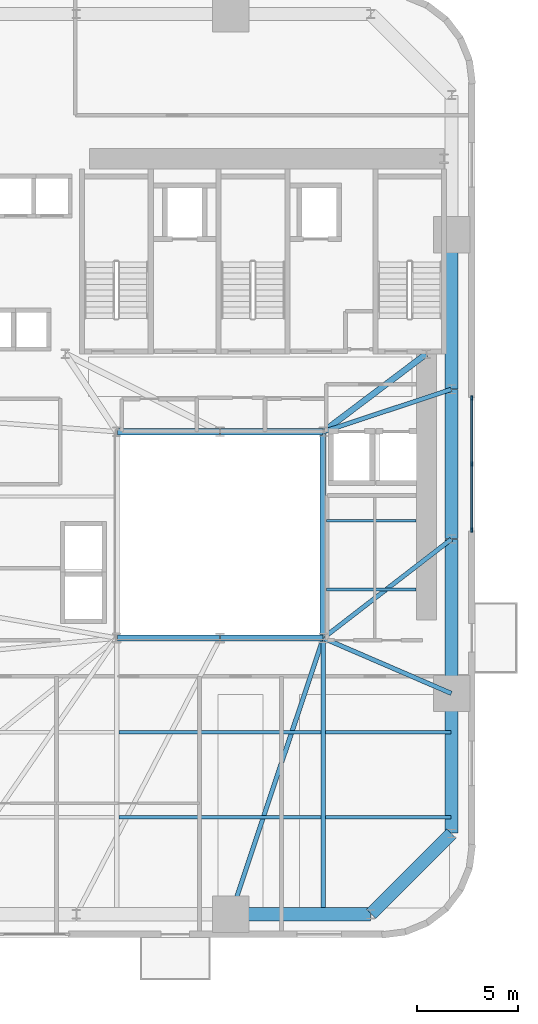
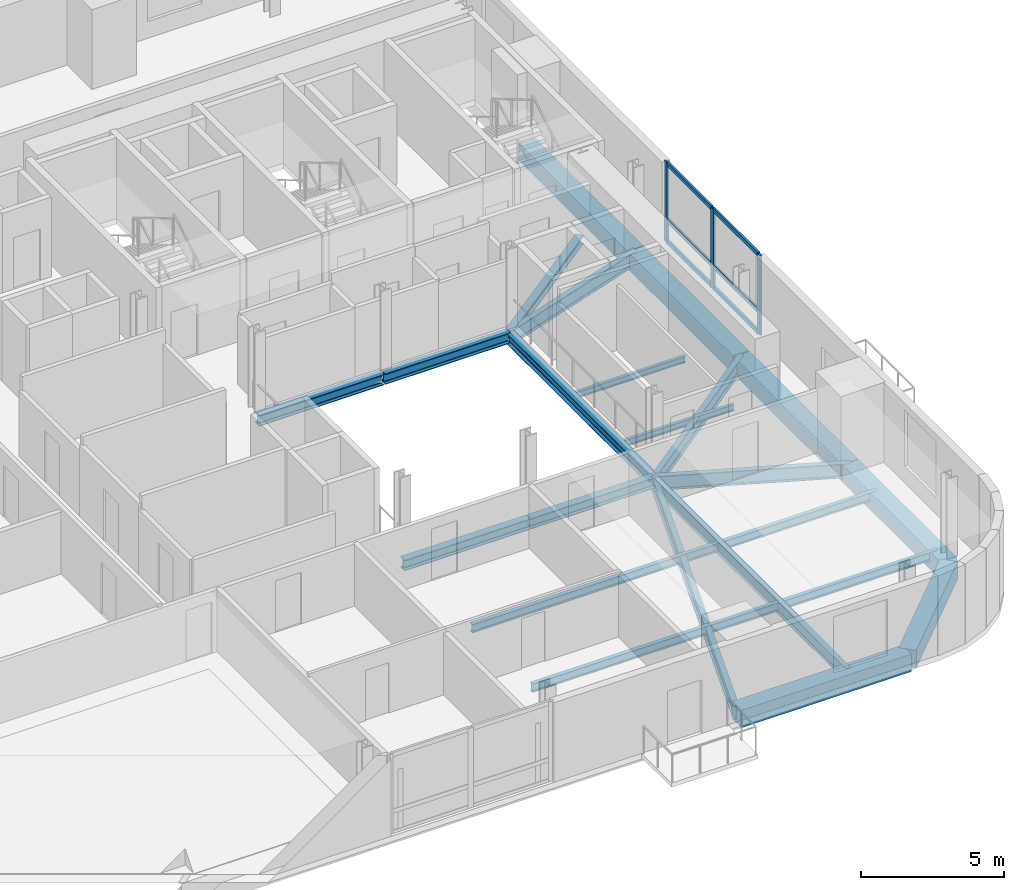
# One storey, part 3 of 13: 23 beams, 9 members, 1 element without a shape of its own.
"""IFC4 building model written with IfcOpenShell, lengths in metres."""

import ifcopenshell
import ifcopenshell.guid

model = None  # the IFC model being written
_history = None  # IfcOwnerHistory: only IFC2X3 demands one
_inside = {}  # id of a spatial element -> (the spatial element, [elements in it])
_under = {}  # id of a project, library or spatial element -> (it, [spatial elements below it])
_declared = {}  # id of a project -> (the project, [libraries it declares])
_typed = {}  # id of a type object -> (the type object, [elements of that type])
_made_of = {}  # id of a material, layer set ... -> (it, [elements and type objects made of it])


def new_model(schema):
    """Start an empty IFC model of exactly this schema.

    Asked for "IFC4X3", IfcOpenShell would pick the latest addendum, in which some entities
    have other attributes; the version numbers below select the first issue.
    IFC2X3 requires an IfcOwnerHistory on every rooted entity: one is made here for all.
    """
    global model, _history
    if schema == "IFC4X3":
        model = ifcopenshell.file(schema_version=(4, 3, 0, 0))
    else:
        model = ifcopenshell.file(schema=schema)
    _inside.clear()
    _under.clear()
    _declared.clear()
    _typed.clear()
    _made_of.clear()
    _history = None
    if model.schema == "IFC2X3":
        org = make("IfcOrganization", Name="unknown")
        user = make(
            "IfcPersonAndOrganization",
            ThePerson=make("IfcPerson", FamilyName="unknown"),
            TheOrganization=org,
        )
        app = make(
            "IfcApplication",
            ApplicationDeveloper=org,
            Version="unknown",
            ApplicationFullName="unknown",
            ApplicationIdentifier="unknown",
        )
        _history = make(
            "IfcOwnerHistory",
            OwningUser=user,
            OwningApplication=app,
            ChangeAction="ADDED",
            CreationDate=0,
        )
    return model


def make(cls, **values):
    """One entity of the class cls with the attributes given. An attribute that is None is left unset."""
    return model.create_entity(
        cls, **{name: value for name, value in values.items() if value is not None}
    )


def rooted(cls, **values):
    """An entity with a GlobalId (a new one), such as an element, a storey or a relation."""
    return make(cls, GlobalId=ifcopenshell.guid.new(), OwnerHistory=_history, **values)


def si_unit(unit_type, name, prefix=None):
    """IfcSIUnit, for example si_unit("LENGTHUNIT", "METRE", prefix="MILLI")."""
    return make("IfcSIUnit", UnitType=unit_type, Prefix=prefix, Name=name)


def assignment(units):
    """IfcUnitAssignment: the units of a project."""
    return None if units is None else make("IfcUnitAssignment", Units=units)


def point(xyz):
    """IfcCartesianPoint."""
    return None if xyz is None else make("IfcCartesianPoint", Coordinates=xyz)


def direction(xyz):
    """IfcDirection."""
    return None if xyz is None else make("IfcDirection", DirectionRatios=xyz)


def frame(location, z_axis=None, x_axis=None):
    """IfcAxis2Placement3D, a coordinate frame: its origin and axes. An axis left out is left unset."""
    return make(
        "IfcAxis2Placement3D",
        Location=point(location),
        Axis=direction(z_axis),
        RefDirection=direction(x_axis),
    )


def frame_2d(location, x_axis=None):
    """IfcAxis2Placement2D, a coordinate frame in the plane: its origin and x axis."""
    return make(
        "IfcAxis2Placement2D", Location=point(location), RefDirection=direction(x_axis)
    )


def origin():
    """The frame at (0, 0, 0) with its axes left unset."""
    return frame((0.0, 0.0, 0.0))


def origin_2d():
    """The frame at (0, 0) in the plane with its x axis left unset."""
    return frame_2d((0.0, 0.0))


def place(relative_to, where):
    """IfcLocalPlacement: puts the frame where relative to a parent placement (None: the world)."""
    return make(
        "IfcLocalPlacement", PlacementRelTo=relative_to, RelativePlacement=where
    )


def context(
    kind, dimensions, precision=None, world=None, true_north=None, identifier=None
):
    """IfcGeometricRepresentationContext, for example the 3D "Model" context."""
    return make(
        "IfcGeometricRepresentationContext",
        ContextIdentifier=identifier,
        ContextType=kind,
        CoordinateSpaceDimension=dimensions,
        Precision=precision,
        WorldCoordinateSystem=world,
        TrueNorth=true_north,
    )


def subcontext(parent, identifier, kind, view, scale=None):
    """IfcGeometricRepresentationSubContext, for example "Body" below "Model"."""
    return make(
        "IfcGeometricRepresentationSubContext",
        ContextIdentifier=identifier,
        ContextType=kind,
        ParentContext=parent,
        TargetScale=scale,
        TargetView=view,
    )


def project(units=None, contexts=None):
    """IfcProject with its units and contexts."""
    return rooted(
        "IfcProject",
        Name="project",
        RepresentationContexts=contexts,
        UnitsInContext=assignment(units),
    )


def spatial(cls, under=None, at=None, **own):
    """A site, building, storey or space (cls), placed at a placement, below another one or the project."""
    s = rooted(cls, ObjectPlacement=at, **own)
    if under is not None:
        _under.setdefault(under.id(), (under, []))[1].append(s)
    return s


def profile(cls, at=None, kind="AREA", **sizes):
    """A parametric profile (cls). Its sizes go by their IFC names, for example OverallWidth=200.0."""
    return make(cls, ProfileType=kind, Position=at, **sizes)


def rectangle(**sizes):
    """IfcRectangleProfileDef."""
    return profile("IfcRectangleProfileDef", **sizes)


def i_section(**sizes):
    """IfcIShapeProfileDef."""
    return profile("IfcIShapeProfileDef", **sizes)


def extrude(swept, where, along, depth):
    """IfcExtrudedAreaSolid: the profile swept, set in the frame where, extruded along a direction by depth."""
    return make(
        "IfcExtrudedAreaSolid",
        SweptArea=swept,
        Position=where,
        ExtrudedDirection=direction(along),
        Depth=depth,
    )


def shape(context_of_items, identifier, shape_type, items):
    """IfcShapeRepresentation: the items that make up one representation, for example the "Body"."""
    return make(
        "IfcShapeRepresentation",
        ContextOfItems=context_of_items,
        RepresentationIdentifier=identifier,
        RepresentationType=shape_type,
        Items=items,
    )


def source(mapping_origin, context_of_items, identifier, shape_type, items):
    """IfcRepresentationMap: a shape defined once, which mapped items show again and again."""
    return make(
        "IfcRepresentationMap",
        MappingOrigin=mapping_origin,
        MappedRepresentation=shape(context_of_items, identifier, shape_type, items),
    )


def transform(
    local_origin,
    x_axis=None,
    y_axis=None,
    z_axis=None,
    scale=None,
    scale2=None,
    scale3=None,
    uniform=True,
):
    """IfcCartesianTransformationOperator3D, or its non-uniform kind. x_axis, y_axis, z_axis: its Axis1, 2, 3."""
    if uniform:
        return make(
            "IfcCartesianTransformationOperator3D",
            Axis1=direction(x_axis),
            Axis2=direction(y_axis),
            LocalOrigin=point(local_origin),
            Scale=scale,
            Axis3=direction(z_axis),
        )
    return make(
        "IfcCartesianTransformationOperator3DnonUniform",
        Axis1=direction(x_axis),
        Axis2=direction(y_axis),
        LocalOrigin=point(local_origin),
        Scale=scale,
        Axis3=direction(z_axis),
        Scale2=scale2,
        Scale3=scale3,
    )


def mapped(mapping_source, mapping_target):
    """IfcMappedItem: shows the shape of a source again, moved by a transform."""
    return make(
        "IfcMappedItem", MappingSource=mapping_source, MappingTarget=mapping_target
    )


def material(Name=None, Category=None):
    """IfcMaterial."""
    return make("IfcMaterial", Name=Name, Category=Category)


def material_profile(
    of_material, cross_section, Name=None, Category=None, Priority=None
):
    """IfcMaterialProfile: a cross section and its material."""
    return make(
        "IfcMaterialProfile",
        Name=Name,
        Material=of_material,
        Profile=cross_section,
        Priority=Priority,
        Category=Category,
    )


def profile_set(profiles, Name=None, composite=None):
    """IfcMaterialProfileSet."""
    return make(
        "IfcMaterialProfileSet",
        Name=Name,
        MaterialProfiles=profiles,
        CompositeProfile=composite,
    )


def made_of(thing, what):
    """Note that an element or type object is made of a material, layer set ...; save() writes the relation."""
    if what is not None:
        _made_of.setdefault(what.id(), (what, []))[1].append(thing)
    return thing


def type_object(cls, material=None, **own):
    """A type object (cls), such as IfcWallType, which elements share."""
    return made_of(rooted(cls, **own), material)


def element(
    cls,
    number,
    at=None,
    inside=None,
    cuts=None,
    type_object=None,
    material=None,
    context=None,
    identifier="Body",
    shape_type=None,
    held_by="IfcProductDefinitionShape",
    body=None,
    shapes=None,
    **own,
):
    """One element of the class cls, such as IfcWall. Its Tag is "e" and its number.

    at: its placement. inside: the storey or other place that contains it. cuts: it is an
    opening in that element (IfcRelVoidsElement). A single representation is given by context,
    identifier, shape_type and body (its items); several are given by shapes. held_by: the class
    of the entity that holds the representations. save() writes the other relations.
    """
    e = rooted(cls, Tag="e%d" % number, ObjectPlacement=at, **own)
    if body is not None:
        shapes = [shape(context, identifier, shape_type, body)]
    if shapes is not None:
        e.Representation = make(held_by, Representations=shapes)
    if inside is not None:
        _inside.setdefault(inside.id(), (inside, []))[1].append(e)
    if cuts is not None:
        rooted(
            "IfcRelVoidsElement", RelatingBuildingElement=cuts, RelatedOpeningElement=e
        )
    if type_object is not None:
        _typed.setdefault(type_object.id(), (type_object, []))[1].append(e)
    return made_of(e, material)


def aggregate(whole, parts):
    """IfcRelAggregates: a whole, such as a stair, and the parts it consists of."""
    return rooted("IfcRelAggregates", RelatingObject=whole, RelatedObjects=parts)


def save(model, path):
    """Write the relations noted so far, then the file.

    IfcRelAggregates (storeys below a building ...), IfcRelContainedInSpatialStructure (elements
    in a storey), IfcRelDefinesByType, IfcRelAssociatesMaterial and IfcRelDeclares: one each for
    every whole, place, type object, material and project.
    """
    for whole, parts in _under.values():
        aggregate(whole, parts)
    for where, things in _inside.values():
        rooted(
            "IfcRelContainedInSpatialStructure",
            RelatedElements=things,
            RelatingStructure=where,
        )
    for kind, things in _typed.values():
        rooted("IfcRelDefinesByType", RelatedObjects=things, RelatingType=kind)
    for what, things in _made_of.values():
        rooted("IfcRelAssociatesMaterial", RelatedObjects=things, RelatingMaterial=what)
    for by, libraries in _declared.values():
        rooted("IfcRelDeclares", RelatingContext=by, RelatedDefinitions=libraries)
    model.write(path)


model = new_model("IFC4")

# Units and contexts
model_context = context("Model", 3, precision=1e-05, world=origin(), true_north=direction((0.0, 1.0)))
body_context = subcontext(model_context, "Body", "Model", "MODEL_VIEW")
ifc_project = project(units=[si_unit("LENGTHUNIT", "METRE"), si_unit("AREAUNIT", "SQUARE_METRE"), si_unit("VOLUMEUNIT", "CUBIC_METRE"), si_unit("PLANEANGLEUNIT", "RADIAN"), si_unit("MASSUNIT", "GRAM", prefix="KILO")], contexts=[model_context])

# Site, building, storey
site_placement = place(None, origin())
site = spatial("IfcSite", under=ifc_project, at=site_placement, CompositionType="ELEMENT")
building_placement = place(site_placement, origin())
building = spatial("IfcBuilding", under=site, at=building_placement, Name="Vardaveli Station Tower", CompositionType="ELEMENT")
storey_placement = place(building_placement, frame((0.0, 0.0, 67.75)))
storey = spatial("IfcBuildingStorey", under=building, at=storey_placement, Name="L17", CompositionType="ELEMENT", Elevation=67.75)

# Beams
ifc_material_1 = material(Name="Structural steel S355J2", Category="steel")
ifc_material_profile_1 = material_profile(ifc_material_1, i_section(OverallWidth=0.300048828125, OverallDepth=0.449951171875, WebThickness=0.013916015625, FlangeThickness=0.02587890625, FilletRadius=0.027099609375, at=origin_2d()), Name="HEB 450")
ifc_profile_set_1 = profile_set([ifc_material_profile_1], Name="Structural steel S355J2")
beam_type_1 = type_object("IfcBeamType", Name="BM-HEB450", PredefinedType="BEAM", material=ifc_profile_set_1)
shared_shape_1 = source(origin(), body_context, "Body", "SweptSolid", [
    extrude(i_section(OverallWidth=0.300048828125, OverallDepth=0.449951171875, WebThickness=0.013916015625, FlangeThickness=0.02587890625, FilletRadius=0.027099609375, at=origin_2d()), origin(), (0.0, 0.0, 1.0), 5.06005859375),
])
for number, where, z_axis, x_axis, name in (
    (1, (31.219970703125, 16.60009765625, -0.465087890625), (1.0, 0.0, 0.0), (0.0, 1.0, 0.0), "ABM-L17-01"),
    (2, (36.280029296875, 26.800048828125, -0.465087890625), (-1.0, 0.0, 0.0), (0.0, -1.0, 0.0), "ABM-L17-05"),
):
    element("IfcBeam", number, at=place(storey_placement, frame(where, z_axis=z_axis, x_axis=x_axis)), inside=storey, type_object=beam_type_1, Name=name, PredefinedType="BEAM", context=body_context, shape_type="MappedRepresentation", body=[
        mapped(shared_shape_1, transform((0.0, 0.0, 0.0), scale=1.0)),
    ])
shared_shape_2 = source(origin(), body_context, "Body", "SweptSolid", [
    extrude(i_section(OverallWidth=0.300048828125, OverallDepth=0.449951171875, WebThickness=0.013916015625, FlangeThickness=0.02587890625, FilletRadius=0.027099609375, at=origin_2d()), origin(), (0.0, 0.0, 1.0), 5.059814453125),
])
for number, where, z_axis, x_axis, name in (
    (3, (36.320068359375, 16.60009765625, -0.465087890625), (1.0, 0.0, 0.0), (0.0, 1.0, 0.0), "ABM-L17-02"),
    (4, (41.3798828125, 26.800048828125, -0.465087890625), (-1.0, 0.0, 0.0), (0.0, -1.0, 0.0), "ABM-L17-04"),
):
    element("IfcBeam", number, at=place(storey_placement, frame(where, z_axis=z_axis, x_axis=x_axis)), inside=storey, type_object=beam_type_1, Name=name, PredefinedType="BEAM", context=body_context, shape_type="MappedRepresentation", body=[
        mapped(shared_shape_2, transform((0.0, 0.0, 0.0), scale=1.0)),
    ])
shared_shape_3 = source(origin(), body_context, "Body", "SweptSolid", [
    extrude(i_section(OverallWidth=0.300048828125, OverallDepth=0.449951171875, WebThickness=0.013916015625, FlangeThickness=0.02587890625, FilletRadius=0.027099609375, at=origin_2d()), origin(), (0.0, 0.0, 1.0), 10.159912109375),
])
beam_1_placement = place(storey_placement, frame((41.39990234375, 16.6201171875, -0.465087890625), z_axis=(0.0, 1.0, 0.0), x_axis=(-1.0, 0.0, 0.0)))
element("IfcBeam", 5, at=beam_1_placement, inside=storey, type_object=beam_type_1, Name="ABM-L17-03", PredefinedType="BEAM", context=body_context, shape_type="MappedRepresentation", body=[
    mapped(shared_shape_3, transform((0.0, 0.0, 0.0), scale=1.0)),
])
ifc_material_profile_2 = material_profile(ifc_material_1, i_section(OverallWidth=0.300048828125, OverallDepth=0.360107421875, WebThickness=0.012451171875, FlangeThickness=0.0224609375, FilletRadius=0.027099609375, at=origin_2d()), Name="HEB 360")
ifc_profile_set_2 = profile_set([ifc_material_profile_2], Name="Structural steel S355J2")
beam_type_2 = type_object("IfcBeamType", Name="BM-HEB360", PredefinedType="BEAM", material=ifc_profile_set_2)
shared_shape_4 = source(origin(), body_context, "Body", "SweptSolid", [
    extrude(i_section(OverallWidth=0.300048828125, OverallDepth=0.360107421875, WebThickness=0.012451171875, FlangeThickness=0.0224609375, FilletRadius=0.027099609375, at=origin_2d()), origin(), (0.0, 0.0, 1.0), 6.35009765625),
])
beam_2_placement = place(storey_placement, frame((41.416015625, 26.81201171875, -0.419921875), z_axis=(0.798118337722, 0.602500721154, 0.0), x_axis=(-0.602500721154, 0.798118337722, 0.0)))
element("IfcBeam", 6, at=beam_2_placement, inside=storey, type_object=beam_type_2, Name="CBM-L17-02", PredefinedType="BEAM", context=body_context, shape_type="MappedRepresentation", body=[
    mapped(shared_shape_4, transform((0.0, 0.0, 0.0), scale=1.0)),
])
ifc_material_2 = material(Name="Precast concrete C45/55", Category="concrete")
ifc_material_profile_3 = material_profile(ifc_material_2, rectangle(XDim=0.64990234375, YDim=0.75, at=origin_2d()), Name="LPB 650x750")
ifc_profile_set_3 = profile_set([ifc_material_profile_3], Name="Precast concrete C45/55")
beam_type_3 = type_object("IfcBeamType", Name="BM-LPB-750", PredefinedType="BEAM", material=ifc_profile_set_3)
shared_shape_5 = source(origin(), body_context, "Body", "SweptSolid", [
    extrude(rectangle(XDim=0.64990234375, YDim=0.75, at=origin_2d()), origin(), (0.0, 0.0, 1.0), 7.60009765625),
])
for number, where, z_axis, x_axis, name in (
    (7, (47.75, 13.8798828125, -0.614990234375), (0.0, 1.0, 0.0), (-1.0, 0.0, 0.0), "RBM-L17-07"),
    (8, (47.75, 28.919921875, -0.614990234375), (0.0, 1.0, 0.0), (-1.0, 0.0, 0.0), "RBM-L17-09"),
):
    element("IfcBeam", number, at=place(storey_placement, frame(where, z_axis=z_axis, x_axis=x_axis)), inside=storey, type_object=beam_type_3, Name=name, PredefinedType="BEAM", context=body_context, shape_type="MappedRepresentation", body=[
        mapped(shared_shape_5, transform((0.0, 0.0, 0.0), scale=1.0)),
    ])
shared_shape_6 = source(origin(), body_context, "Body", "SweptSolid", [
    extrude(rectangle(XDim=0.64990234375, YDim=0.75, at=origin_2d()), origin(), (0.0, 0.0, 1.0), 7.35986328125),
])
beam_3_placement = place(storey_placement, frame((47.75, 21.52001953125, -0.614990234375), z_axis=(0.0, 1.0, 0.0), x_axis=(-1.0, 0.0, 0.0)))
element("IfcBeam", 9, at=beam_3_placement, inside=storey, type_object=beam_type_3, Name="RBM-L17-08", PredefinedType="BEAM", context=body_context, shape_type="MappedRepresentation", body=[
    mapped(shared_shape_6, transform((0.0, 0.0, 0.0), scale=1.0)),
])
shared_shape_7 = source(origin(), body_context, "Body", "SweptSolid", [
    extrude(rectangle(XDim=0.64990234375, YDim=0.75, at=origin_2d()), origin(), (0.0, 0.0, 1.0), 6.869873046875),
])
beam_4_placement = place(storey_placement, frame((36.860107421875, 2.949951171875, -0.614990234375), z_axis=(1.0, 0.0, 0.0), x_axis=(0.0, 1.0, 0.0)))
element("IfcBeam", 10, at=beam_4_placement, inside=storey, type_object=beam_type_3, Name="RBM-L17-04", PredefinedType="BEAM", context=body_context, shape_type="MappedRepresentation", body=[
    mapped(shared_shape_7, transform((0.0, 0.0, 0.0), scale=1.0)),
])
shared_shape_8 = source(origin(), body_context, "Body", "SweptSolid", [
    extrude(rectangle(XDim=0.64990234375, YDim=0.75, at=origin_2d()), origin(), (0.0, 0.0, 1.0), 5.61669921875),
])
beam_5_placement = place(storey_placement, frame((43.76416015625, 2.964111328125, -0.614990234375), z_axis=(0.707106781187, 0.707106781187, 0.0), x_axis=(-0.707106781187, 0.707106781187, 0.0)))
element("IfcBeam", 11, at=beam_5_placement, inside=storey, type_object=beam_type_3, Name="RBM-L17-05", PredefinedType="BEAM", context=body_context, shape_type="MappedRepresentation", body=[
    mapped(shared_shape_8, transform((0.0, 0.0, 0.0), scale=1.0)),
])
shared_shape_9 = source(origin(), body_context, "Body", "SweptSolid", [
    extrude(rectangle(XDim=0.64990234375, YDim=0.75, at=origin_2d()), origin(), (0.0, 0.0, 1.0), 6.8701171875),
])
beam_6_placement = place(storey_placement, frame((47.75, 6.969970703125, -0.614990234375), z_axis=(0.0, 1.0, 0.0), x_axis=(-1.0, 0.0, 0.0)))
element("IfcBeam", 12, at=beam_6_placement, inside=storey, type_object=beam_type_3, Name="RBM-L17-06", PredefinedType="BEAM", context=body_context, shape_type="MappedRepresentation", body=[
    mapped(shared_shape_9, transform((0.0, 0.0, 0.0), scale=1.0)),
])
ifc_material_profile_4 = material_profile(ifc_material_1, i_section(OverallWidth=0.219970703125, OverallDepth=0.60009765625, WebThickness=0.011962890625, FlangeThickness=0.01904296875, FilletRadius=0.02392578125, at=origin_2d()), Name="IPE 600")
ifc_profile_set_4 = profile_set([ifc_material_profile_4], Name="Structural steel S355J2")
beam_type_4 = type_object("IfcBeamType", Name="BM-IPE600", PredefinedType="BEAM", material=ifc_profile_set_4)
shared_shape_10 = source(origin(), body_context, "Body", "SweptSolid", [
    extrude(i_section(OverallWidth=0.219970703125, OverallDepth=0.60009765625, WebThickness=0.011962890625, FlangeThickness=0.01904296875, FilletRadius=0.02392578125, at=origin_2d()), origin(), (0.0, 0.0, 1.0), 14.3515625),
])
beam_7_placement = place(storey_placement, frame((36.846435546875, 2.968994140625, -0.5400390625), z_axis=(0.316840115921, 0.948478961782, 0.0), x_axis=(-0.948478961782, 0.316840115921, 0.0)))
element("IfcBeam", 13, at=beam_7_placement, inside=storey, type_object=beam_type_4, Name="GBM-L17-04", PredefinedType="BEAM", context=body_context, shape_type="MappedRepresentation", body=[
    mapped(shared_shape_10, transform((0.0, 0.0, 0.0), scale=1.0)),
])
shared_shape_11 = source(origin(), body_context, "Body", "SweptSolid", [
    extrude(i_section(OverallWidth=0.219970703125, OverallDepth=0.60009765625, WebThickness=0.011962890625, FlangeThickness=0.01904296875, FilletRadius=0.02392578125, at=origin_2d()), origin(), (0.0, 0.0, 1.0), 6.8759765625),
])
beam_8_placement = place(storey_placement, frame((47.731689453125, 13.867919921875, -0.5400390625), z_axis=(-0.918170694621, 0.396185026899, 0.0), x_axis=(-0.396185026899, -0.918170694621, 0.0)))
element("IfcBeam", 14, at=beam_8_placement, inside=storey, type_object=beam_type_4, Name="GBM-L17-05", PredefinedType="BEAM", context=body_context, shape_type="MappedRepresentation", body=[
    mapped(shared_shape_11, transform((0.0, 0.0, 0.0), scale=1.0)),
])
shared_shape_12 = source(origin(), body_context, "Body", "SweptSolid", [
    extrude(i_section(OverallWidth=0.219970703125, OverallDepth=0.60009765625, WebThickness=0.011962890625, FlangeThickness=0.01904296875, FilletRadius=0.02392578125, at=origin_2d()), origin(), (0.0, 0.0, 1.0), 7.980712890625),
])
beam_9_placement = place(storey_placement, frame((47.734130859375, 21.48779296875, -0.5400390625), z_axis=(-0.791701934907, -0.610907559509, 0.0), x_axis=(0.610907559509, -0.791701934907, 0.0)))
element("IfcBeam", 15, at=beam_9_placement, inside=storey, type_object=beam_type_4, Name="GBM-L17-06", PredefinedType="BEAM", context=body_context, shape_type="MappedRepresentation", body=[
    mapped(shared_shape_12, transform((0.0, 0.0, 0.0), scale=1.0)),
])
shared_shape_13 = source(origin(), body_context, "Body", "SweptSolid", [
    extrude(i_section(OverallWidth=0.219970703125, OverallDepth=0.60009765625, WebThickness=0.011962890625, FlangeThickness=0.01904296875, FilletRadius=0.02392578125, at=origin_2d()), origin(), (0.0, 0.0, 1.0), 6.648193359375),
])
beam_10_placement = place(storey_placement, frame((47.73095703125, 28.893798828125, -0.5400390625), z_axis=(-0.949429779906, -0.313979446824, 0.0), x_axis=(0.313979446824, -0.949429779906, 0.0)))
element("IfcBeam", 16, at=beam_10_placement, inside=storey, type_object=beam_type_4, Name="GBM-L17-07", PredefinedType="BEAM", context=body_context, shape_type="MappedRepresentation", body=[
    mapped(shared_shape_13, transform((0.0, 0.0, 0.0), scale=1.0)),
])
ifc_material_profile_5 = material_profile(ifc_material_1, i_section(OverallWidth=0.2099609375, OverallDepth=0.550048828125, WebThickness=0.010986328125, FlangeThickness=0.01708984375, FilletRadius=0.02392578125, at=origin_2d()), Name="IPE 550")
ifc_profile_set_5 = profile_set([ifc_material_profile_5], Name="Structural steel S355J2")
beam_type_5 = type_object("IfcBeamType", Name="BM-IPE550", PredefinedType="BEAM", material=ifc_profile_set_5)
shared_shape_14 = source(origin(), body_context, "Body", "SweptSolid", [
    extrude(i_section(OverallWidth=0.2099609375, OverallDepth=0.550048828125, WebThickness=0.010986328125, FlangeThickness=0.01708984375, FilletRadius=0.02392578125, at=origin_2d()), origin(), (0.0, 0.0, 1.0), 13.469970703125),
])
beam_11_placement = place(storey_placement, frame((41.39990234375, 2.989990234375, -0.514892578125), z_axis=(0.0, 1.0, 0.0), x_axis=(-1.0, 0.0, 0.0)))
element("IfcBeam", 17, at=beam_11_placement, inside=storey, type_object=beam_type_5, Name="NSM-L17-S2", PredefinedType="BEAM", context=body_context, shape_type="MappedRepresentation", body=[
    mapped(shared_shape_14, transform((0.0, 0.0, 0.0), scale=1.0)),
])
ifc_material_profile_6 = material_profile(ifc_material_1, i_section(OverallWidth=0.169921875, OverallDepth=0.360107421875, WebThickness=0.008056640625, FlangeThickness=0.0126953125, FilletRadius=0.01806640625, at=origin_2d()), Name="IPE 360")
ifc_profile_set_6 = profile_set([ifc_material_profile_6], Name="Structural steel S355J2")
beam_type_6 = type_object("IfcBeamType", Name="BM-IPE360", PredefinedType="JOIST", material=ifc_profile_set_6)
shared_shape_15 = source(origin(), body_context, "Body", "SweptSolid", [
    extrude(i_section(OverallWidth=0.169921875, OverallDepth=0.360107421875, WebThickness=0.008056640625, FlangeThickness=0.0126953125, FilletRadius=0.01806640625, at=origin_2d()), origin(), (0.0, 0.0, 1.0), 9.97607421875),
])
for number, where, z_axis, x_axis, name in (
    (18, (31.31201171875, 7.75, -0.419921875), (1.0, 0.0, 0.0), (0.0, 1.0, 0.0), "SJ-L17-S02"),
    (19, (31.31201171875, 11.949951171875, -0.419921875), (1.0, 0.0, 0.0), (0.0, 1.0, 0.0), "SJ-L17-S05"),
):
    element("IfcBeam", number, at=place(storey_placement, frame(where, z_axis=z_axis, x_axis=x_axis)), inside=storey, type_object=beam_type_6, Name=name, PredefinedType="JOIST", context=body_context, shape_type="MappedRepresentation", body=[
        mapped(shared_shape_15, transform((0.0, 0.0, 0.0), scale=1.0)),
    ])
shared_shape_16 = source(origin(), body_context, "Body", "SweptSolid", [
    extrude(i_section(OverallWidth=0.169921875, OverallDepth=0.360107421875, WebThickness=0.008056640625, FlangeThickness=0.0126953125, FilletRadius=0.01806640625, at=origin_2d()), origin(), (0.0, 0.0, 1.0), 6.197998046875),
])
for number, where, z_axis, x_axis, name in (
    (20, (41.511962890625, 7.75, -0.419921875), (1.0, 0.0, 0.0), (0.0, 1.0, 0.0), "SJ-L17-S03"),
    (21, (41.511962890625, 11.949951171875, -0.419921875), (1.0, 0.0, 0.0), (0.0, 1.0, 0.0), "SJ-L17-S06"),
):
    element("IfcBeam", number, at=place(storey_placement, frame(where, z_axis=z_axis, x_axis=x_axis)), inside=storey, type_object=beam_type_6, Name=name, PredefinedType="JOIST", context=body_context, shape_type="MappedRepresentation", body=[
        mapped(shared_shape_16, transform((0.0, 0.0, 0.0), scale=1.0)),
    ])
ifc_material_profile_7 = material_profile(ifc_material_1, i_section(OverallWidth=0.135009765625, OverallDepth=0.27001953125, WebThickness=0.006591796875, FlangeThickness=0.01025390625, FilletRadius=0.014892578125, at=origin_2d()), Name="IPE 270")
ifc_profile_set_7 = profile_set([ifc_material_profile_7], Name="Structural steel S355J2")
beam_type_7 = type_object("IfcBeamType", Name="BM-IPE270", PredefinedType="BEAM", material=ifc_profile_set_7)
shared_shape_17 = source(origin(), body_context, "Body", "SweptSolid", [
    extrude(i_section(OverallWidth=0.135009765625, OverallDepth=0.27001953125, WebThickness=0.006591796875, FlangeThickness=0.01025390625, FilletRadius=0.014892578125, at=origin_2d()), origin(), (0.0, 0.0, 1.0), 4.43017578125),
])
for number, where, z_axis, x_axis, name in (
    (22, (41.56494140625, 19.0, -0.375), (1.0, 0.0, 0.0), (0.0, 1.0, 0.0), "TJ-L17-01"),
    (23, (41.56494140625, 22.39990234375, -0.375), (1.0, 0.0, 0.0), (0.0, 1.0, 0.0), "TJ-L17-02"),
):
    element("IfcBeam", number, at=place(storey_placement, frame(where, z_axis=z_axis, x_axis=x_axis)), inside=storey, type_object=beam_type_7, Name=name, PredefinedType="BEAM", context=body_context, shape_type="MappedRepresentation", body=[
        mapped(shared_shape_17, transform((0.0, 0.0, 0.0), scale=1.0)),
    ])

# Curtain wall, members
ifc_material_3 = material(Name="Travertine stone and solar-control glass", Category="masonry")
curtain_wall_type = type_object("IfcCurtainWallType", Name="CW-SYS-2", PredefinedType="NOTDEFINED", material=ifc_material_3)
curtain_wall_placement = place(storey_placement, origin())
curtain_wall = element("IfcCurtainWall", 24, at=curtain_wall_placement, inside=storey, type_object=curtain_wall_type, Name="CW-L17-E", PredefinedType="NOTDEFINED")
ifc_material_4 = material(Name="Anodised aluminium alloy 6063-T6", Category="aluminium")
ifc_material_profile_8 = material_profile(ifc_material_4, rectangle(XDim=0.0849609375, YDim=0.219970703125, at=origin_2d()), Name="CWM 85x220")
ifc_profile_set_8 = profile_set([ifc_material_profile_8], Name="Anodised aluminium alloy 6063-T6")
member_type_1 = type_object("IfcMemberType", Name="CW-SYS-2-MULL", PredefinedType="MULLION", material=ifc_profile_set_8)
shared_shape_18 = source(origin(), body_context, "Body", "SweptSolid", [
    extrude(rectangle(XDim=0.0849609375, YDim=0.219970703125, at=origin_2d()), origin(), (0.0, 0.0, 1.0), 3.409912109375),
])
member_1_placement = place(storey_placement, frame((48.739990234375, 21.9423828125, 0.0), z_axis=(0.0, 0.0, 1.0), x_axis=(-1.0, 0.0, 0.0)))
member_1 = element("IfcMember", 25, at=member_1_placement, type_object=member_type_1, Name="CW-2 mullion 1", PredefinedType="MULLION", context=body_context, shape_type="MappedRepresentation", body=[
    mapped(shared_shape_18, transform((0.0, 0.0, 0.0), scale=1.0)),
])
member_2_placement = place(storey_placement, frame((48.739990234375, 25.199951171875, 0.0), z_axis=(0.0, 0.0, 1.0), x_axis=(-1.0, 0.0, 0.0)))
member_2 = element("IfcMember", 26, at=member_2_placement, type_object=member_type_1, Name="CW-2 mullion 2", PredefinedType="MULLION", context=body_context, shape_type="MappedRepresentation", body=[
    mapped(shared_shape_18, transform((0.0, 0.0, 0.0), scale=1.0)),
])
member_3_placement = place(storey_placement, frame((48.739990234375, 28.45751953125, 0.0), z_axis=(0.0, 0.0, 1.0), x_axis=(-1.0, 0.0, 0.0)))
member_3 = element("IfcMember", 27, at=member_3_placement, type_object=member_type_1, Name="CW-2 mullion 3", PredefinedType="MULLION", context=body_context, shape_type="MappedRepresentation", body=[
    mapped(shared_shape_18, transform((0.0, 0.0, 0.0), scale=1.0)),
])
ifc_material_profile_9 = material_profile(ifc_material_4, rectangle(XDim=0.0849609375, YDim=0.179931640625, at=origin_2d()), Name="CWT 85x180")
ifc_profile_set_9 = profile_set([ifc_material_profile_9], Name="Anodised aluminium alloy 6063-T6")
member_type_2 = type_object("IfcMemberType", Name="CW-SYS-2-TRAN", PredefinedType="NOTDEFINED", material=ifc_profile_set_9)
shared_shape_19 = source(origin(), body_context, "Body", "SweptSolid", [
    extrude(rectangle(XDim=0.0849609375, YDim=0.179931640625, at=origin_2d()), origin(), (0.0, 0.0, 1.0), 3.172607421875),
])
member_4_placement = place(storey_placement, frame((48.739990234375, 25.242431640625, 0.04248046875), z_axis=(0.0, 1.0, 0.0), x_axis=(-1.0, 0.0, 0.0)))
member_4 = element("IfcMember", 28, at=member_4_placement, type_object=member_type_2, Name="CW-2 transom 2.1", ObjectType="TRANSOM", PredefinedType="USERDEFINED", context=body_context, shape_type="MappedRepresentation", body=[
    mapped(shared_shape_19, transform((0.0, 0.0, 0.0), scale=1.0)),
])
member_5_placement = place(storey_placement, frame((48.739990234375, 25.242431640625, 0.949951171875), z_axis=(0.0, 1.0, 0.0), x_axis=(-1.0, 0.0, 0.0)))
member_5 = element("IfcMember", 29, at=member_5_placement, type_object=member_type_2, Name="CW-2 transom 2.2", ObjectType="TRANSOM", PredefinedType="USERDEFINED", context=body_context, shape_type="MappedRepresentation", body=[
    mapped(shared_shape_19, transform((0.0, 0.0, 0.0), scale=1.0)),
])
member_6_placement = place(storey_placement, frame((48.739990234375, 25.242431640625, 3.367431640625), z_axis=(0.0, 1.0, 0.0), x_axis=(-1.0, 0.0, 0.0)))
member_6 = element("IfcMember", 30, at=member_6_placement, type_object=member_type_2, Name="CW-2 transom 2.3", ObjectType="TRANSOM", PredefinedType="USERDEFINED", context=body_context, shape_type="MappedRepresentation", body=[
    mapped(shared_shape_19, transform((0.0, 0.0, 0.0), scale=1.0)),
])
shared_shape_20 = source(origin(), body_context, "Body", "SweptSolid", [
    extrude(rectangle(XDim=0.0849609375, YDim=0.179931640625, at=origin_2d()), origin(), (0.0, 0.0, 1.0), 3.17236328125),
])
member_7_placement = place(storey_placement, frame((48.739990234375, 21.985107421875, 0.04248046875), z_axis=(0.0, 1.0, 0.0), x_axis=(-1.0, 0.0, 0.0)))
member_7 = element("IfcMember", 31, at=member_7_placement, type_object=member_type_2, Name="CW-2 transom 1.1", ObjectType="TRANSOM", PredefinedType="USERDEFINED", context=body_context, shape_type="MappedRepresentation", body=[
    mapped(shared_shape_20, transform((0.0, 0.0, 0.0), scale=1.0)),
])
member_8_placement = place(storey_placement, frame((48.739990234375, 21.985107421875, 0.949951171875), z_axis=(0.0, 1.0, 0.0), x_axis=(-1.0, 0.0, 0.0)))
member_8 = element("IfcMember", 32, at=member_8_placement, type_object=member_type_2, Name="CW-2 transom 1.2", ObjectType="TRANSOM", PredefinedType="USERDEFINED", context=body_context, shape_type="MappedRepresentation", body=[
    mapped(shared_shape_20, transform((0.0, 0.0, 0.0), scale=1.0)),
])
member_9_placement = place(storey_placement, frame((48.739990234375, 21.985107421875, 3.367431640625), z_axis=(0.0, 1.0, 0.0), x_axis=(-1.0, 0.0, 0.0)))
member_9 = element("IfcMember", 33, at=member_9_placement, type_object=member_type_2, Name="CW-2 transom 1.3", ObjectType="TRANSOM", PredefinedType="USERDEFINED", context=body_context, shape_type="MappedRepresentation", body=[
    mapped(shared_shape_20, transform((0.0, 0.0, 0.0), scale=1.0)),
])
aggregate(curtain_wall, [member_1, member_2, member_3, member_7, member_8, member_9, member_4, member_5, member_6])

save(model, "model.ifc")
